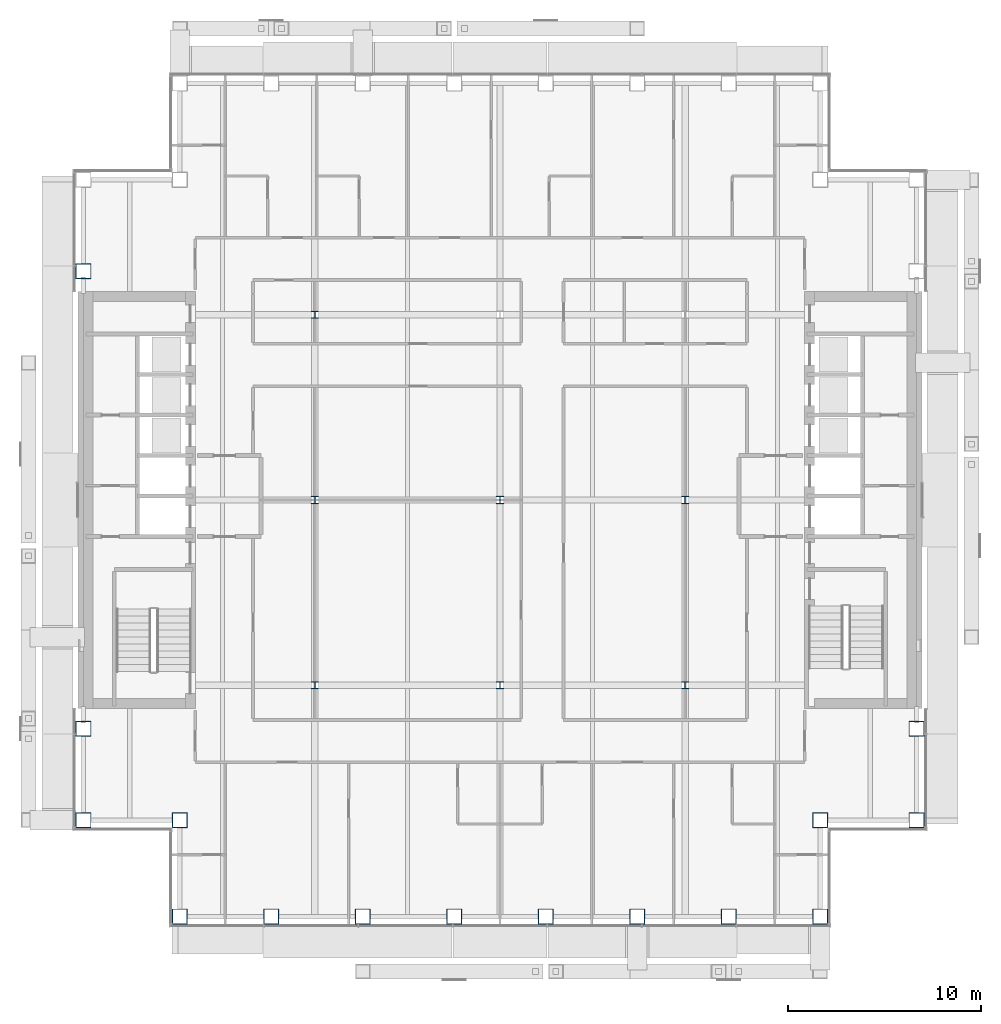
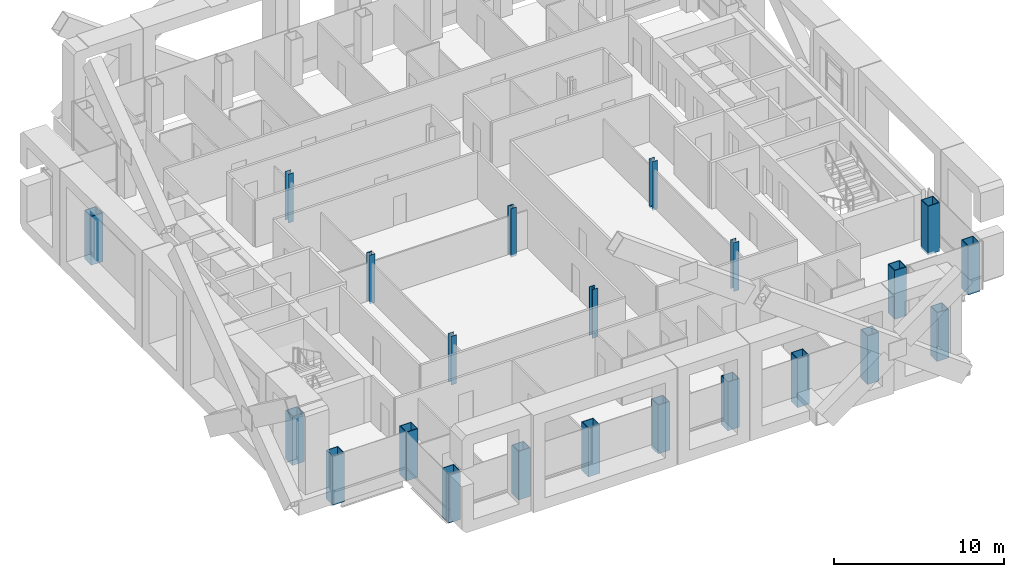
# One storey, part 1 of 22: 22 columns.
"""IFC4 building model written with IfcOpenShell, lengths in metres."""

from ifc_helpers import new_model, si_unit, direction, frame, origin, origin_2d, place, context, subcontext, project, spatial, hollow_rectangle, i_section, extrude, material, material_profile, profile_set, type_object, element, save


model = new_model("IFC4")

# Units and contexts
model_context = context("Model", 3, precision=1e-05, world=origin(), true_north=direction((0.0, 1.0)))
body_context = subcontext(model_context, "Body", "Model", "MODEL_VIEW")
ifc_project = project(units=[si_unit("LENGTHUNIT", "METRE"), si_unit("AREAUNIT", "SQUARE_METRE"), si_unit("VOLUMEUNIT", "CUBIC_METRE"), si_unit("PLANEANGLEUNIT", "RADIAN"), si_unit("MASSUNIT", "GRAM", prefix="KILO")], contexts=[model_context])

# Site, building, storey
site_placement = place(None, origin())
site = spatial("IfcSite", under=ifc_project, at=site_placement, CompositionType="ELEMENT")
building_placement = place(site_placement, origin())
building = spatial("IfcBuilding", under=site, at=building_placement, Name="Cobrizo Arcos Hotel Tower", CompositionType="ELEMENT")
storey_placement = place(building_placement, frame((0.0, 0.0, 169.0)))
storey = spatial("IfcBuildingStorey", under=building, at=storey_placement, Name="L43", CompositionType="ELEMENT", Elevation=169.0)

# Columns
ifc_material_1 = material(Name="Steel ASTM A572 Grade 50", Category="steel")
ifc_material_profile_1 = material_profile(ifc_material_1, hollow_rectangle(XDim=0.800048828125, YDim=0.800048828125, WallThickness=0.044921875, at=origin_2d()), Name="BOX 800X800X45")
ifc_profile_set_1 = profile_set([ifc_material_profile_1], Name="Steel ASTM A572 Grade 50")
column_type_1 = type_object("IfcColumnType", Name="BOX 800X800X45 column", PredefinedType="COLUMN", material=ifc_profile_set_1)
for number, where, z_axis, x_axis, name in (
    (1, (-16.60009765625, -21.60009765625, -0.14990234375), (0.0, 0.0, 1.0), (1.0, 0.0, 0.0), "Perimeter column C8, L43, no. 01"),
    (2, (-11.85693359375, -21.60009765625, -0.14990234375), (0.0, 0.0, 1.0), (1.0, 0.0, 0.0), "Perimeter column C8, L43, no. 03"),
    (3, (-7.114013671875, -21.60009765625, -0.14990234375), (0.0, 0.0, 1.0), (1.0, 0.0, 0.0), "Perimeter column C8, L43, no. 05"),
    (4, (-2.37109375, -21.60009765625, -0.14990234375), (0.0, 0.0, 1.0), (1.0, 0.0, 0.0), "Perimeter column C8, L43, no. 07"),
    (5, (2.37109375, -21.60009765625, -0.14990234375), (0.0, 0.0, 1.0), (1.0, 0.0, 0.0), "Perimeter column C8, L43, no. 09"),
    (6, (7.114013671875, -21.60009765625, -0.14990234375), (0.0, 0.0, 1.0), (1.0, 0.0, 0.0), "Perimeter column C8, L43, no. 11"),
    (7, (11.85693359375, -21.60009765625, -0.14990234375), (0.0, 0.0, 1.0), (1.0, 0.0, 0.0), "Perimeter column C8, L43, no. 13"),
    (8, (16.60009765625, -21.60009765625, -0.14990234375), (0.0, 0.0, 1.0), (1.0, 0.0, 0.0), "Perimeter column C8, L43, no. 15"),
    (9, (21.60009765625, -16.60009765625, -0.14990234375), (0.0, 0.0, 1.0), (1.0, 0.0, 0.0), "Perimeter column C8, L43, no. 16"),
    (10, (-21.60009765625, -16.60009765625, -0.14990234375), (0.0, 0.0, 1.0), (1.0, 0.0, 0.0), "Perimeter column C8, L43, no. 17"),
    (11, (21.60009765625, -11.85693359375, -0.14990234375), (0.0, 0.0, 1.0), (1.0, 0.0, 0.0), "Perimeter column C8, L43, no. 18"),
    (12, (-21.60009765625, -11.85693359375, -0.14990234375), (0.0, 0.0, 1.0), (1.0, 0.0, 0.0), "Perimeter column C8, L43, no. 19"),
    (13, (-21.60009765625, 11.85693359375, -0.14990234375), (0.0, 0.0, 1.0), (1.0, 0.0, 0.0), "Perimeter column C8, L43, no. 21"),
    (14, (-16.60009765625, -16.60009765625, -0.14990234375), (0.0, 0.0, 1.0), (1.0, 0.0, 0.0), "Perimeter column C8, L43, no. 24"),
    (15, (16.60009765625, -16.60009765625, -0.14990234375), (0.0, 0.0, 1.0), (1.0, 0.0, 0.0), "Perimeter column C8, L43, no. 26"),
):
    element("IfcColumn", number, at=place(storey_placement, frame(where, z_axis=z_axis, x_axis=x_axis)), inside=storey, type_object=column_type_1, Name=name, PredefinedType="COLUMN", context=body_context, shape_type="SweptSolid", body=[
        extrude(hollow_rectangle(XDim=0.800048828125, YDim=0.800048828125, WallThickness=0.044921875, at=origin_2d()), origin(), (0.0, 0.0, 1.0), 3.5),
    ])
ifc_material_2 = material(Name="Steel ASTM A992 Grade 50", Category="steel")
ifc_material_profile_2 = material_profile(ifc_material_2, i_section(OverallWidth=0.373291015625, OverallDepth=0.373291015625, WebThickness=0.016357421875, FlangeThickness=0.026123046875, at=origin_2d()), Name="W14X132")
ifc_profile_set_2 = profile_set([ifc_material_profile_2], Name="Steel ASTM A992 Grade 50")
column_type_2 = type_object("IfcColumnType", Name="W14X132 interior column", PredefinedType="COLUMN", material=ifc_profile_set_2)
for number, where, z_axis, x_axis, name in (
    (16, (-9.60009765625, -9.60009765625, -0.14990234375), (0.0, 0.0, 1.0), (1.0, 0.0, 0.0), "Interior column C9, L43, no. 00"),
    (17, (-9.60009765625, 0.0, -0.14990234375), (0.0, 0.0, 1.0), (1.0, 0.0, 0.0), "Interior column C9, L43, no. 01"),
    (18, (-9.60009765625, 9.60009765625, -0.14990234375), (0.0, 0.0, 1.0), (1.0, 0.0, 0.0), "Interior column C9, L43, no. 02"),
    (19, (0.0, -9.60009765625, -0.14990234375), (0.0, 0.0, 1.0), (1.0, 0.0, 0.0), "Interior column C9, L43, no. 03"),
    (20, (0.0, 0.0, -0.14990234375), (0.0, 0.0, 1.0), (1.0, 0.0, 0.0), "Interior column C9, L43, no. 04"),
    (21, (9.60009765625, -9.60009765625, -0.14990234375), (0.0, 0.0, 1.0), (1.0, 0.0, 0.0), "Interior column C9, L43, no. 06"),
    (22, (9.60009765625, 0.0, -0.14990234375), (0.0, 0.0, 1.0), (1.0, 0.0, 0.0), "Interior column C9, L43, no. 07"),
):
    element("IfcColumn", number, at=place(storey_placement, frame(where, z_axis=z_axis, x_axis=x_axis)), inside=storey, type_object=column_type_2, Name=name, PredefinedType="COLUMN", context=body_context, shape_type="SweptSolid", body=[
        extrude(i_section(OverallWidth=0.373291015625, OverallDepth=0.373291015625, WebThickness=0.016357421875, FlangeThickness=0.026123046875, at=origin_2d()), origin(), (0.0, 0.0, 1.0), 3.5),
    ])

save(model, "model.ifc")
